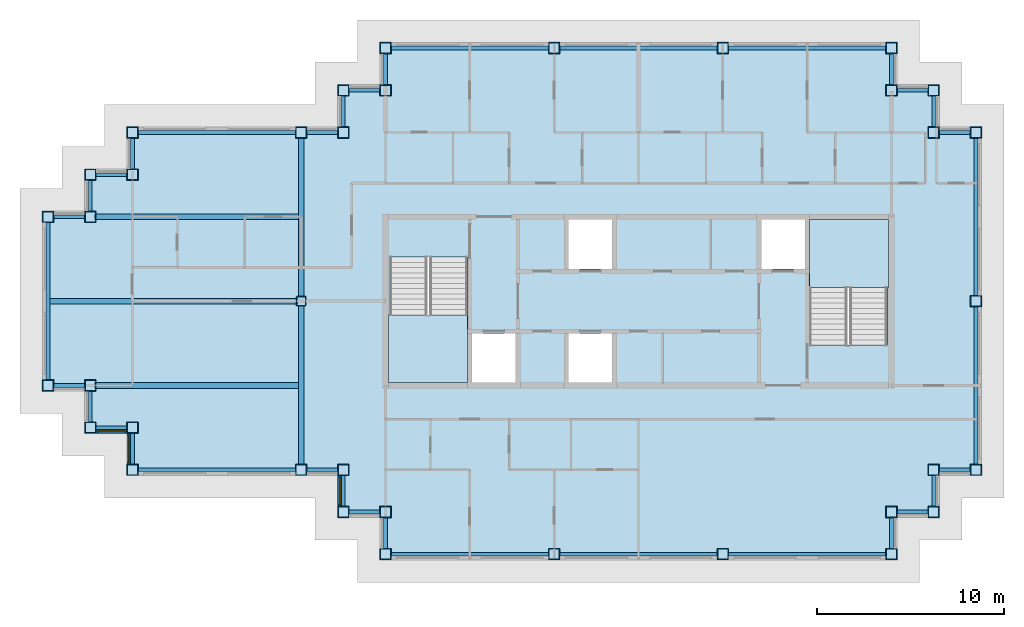
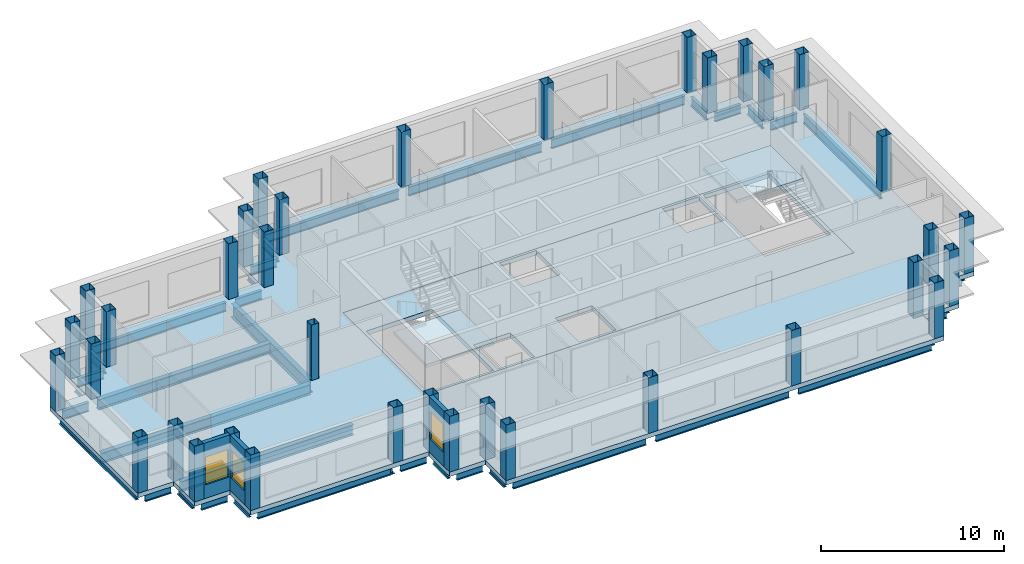
# One storey, part 1 of 12: 40 beams, 36 columns, 4 slabs, 3 walls, 3 windows, 3 openings, 2 elements without a shape of their own.
"""IFC4 building model written with IfcOpenShell, lengths in metres."""

import ifcopenshell
import ifcopenshell.guid

model = None  # the IFC model being written
_history = None  # IfcOwnerHistory: only IFC2X3 demands one
_inside = {}  # id of a spatial element -> (the spatial element, [elements in it])
_under = {}  # id of a project, library or spatial element -> (it, [spatial elements below it])
_declared = {}  # id of a project -> (the project, [libraries it declares])
_typed = {}  # id of a type object -> (the type object, [elements of that type])
_made_of = {}  # id of a material, layer set ... -> (it, [elements and type objects made of it])


def new_model(schema):
    """Start an empty IFC model of exactly this schema.

    Asked for "IFC4X3", IfcOpenShell would pick the latest addendum, in which some entities
    have other attributes; the version numbers below select the first issue.
    IFC2X3 requires an IfcOwnerHistory on every rooted entity: one is made here for all.
    """
    global model, _history
    if schema == "IFC4X3":
        model = ifcopenshell.file(schema_version=(4, 3, 0, 0))
    else:
        model = ifcopenshell.file(schema=schema)
    _inside.clear()
    _under.clear()
    _declared.clear()
    _typed.clear()
    _made_of.clear()
    _history = None
    if model.schema == "IFC2X3":
        org = make("IfcOrganization", Name="unknown")
        user = make(
            "IfcPersonAndOrganization",
            ThePerson=make("IfcPerson", FamilyName="unknown"),
            TheOrganization=org,
        )
        app = make(
            "IfcApplication",
            ApplicationDeveloper=org,
            Version="unknown",
            ApplicationFullName="unknown",
            ApplicationIdentifier="unknown",
        )
        _history = make(
            "IfcOwnerHistory",
            OwningUser=user,
            OwningApplication=app,
            ChangeAction="ADDED",
            CreationDate=0,
        )
    return model


def make(cls, **values):
    """One entity of the class cls with the attributes given. An attribute that is None is left unset."""
    return model.create_entity(
        cls, **{name: value for name, value in values.items() if value is not None}
    )


def rooted(cls, **values):
    """An entity with a GlobalId (a new one), such as an element, a storey or a relation."""
    return make(cls, GlobalId=ifcopenshell.guid.new(), OwnerHistory=_history, **values)


def si_unit(unit_type, name, prefix=None):
    """IfcSIUnit, for example si_unit("LENGTHUNIT", "METRE", prefix="MILLI")."""
    return make("IfcSIUnit", UnitType=unit_type, Prefix=prefix, Name=name)


def assignment(units):
    """IfcUnitAssignment: the units of a project."""
    return None if units is None else make("IfcUnitAssignment", Units=units)


def point(xyz):
    """IfcCartesianPoint."""
    return None if xyz is None else make("IfcCartesianPoint", Coordinates=xyz)


def direction(xyz):
    """IfcDirection."""
    return None if xyz is None else make("IfcDirection", DirectionRatios=xyz)


def frame(location, z_axis=None, x_axis=None):
    """IfcAxis2Placement3D, a coordinate frame: its origin and axes. An axis left out is left unset."""
    return make(
        "IfcAxis2Placement3D",
        Location=point(location),
        Axis=direction(z_axis),
        RefDirection=direction(x_axis),
    )


def frame_2d(location, x_axis=None):
    """IfcAxis2Placement2D, a coordinate frame in the plane: its origin and x axis."""
    return make(
        "IfcAxis2Placement2D", Location=point(location), RefDirection=direction(x_axis)
    )


def origin():
    """The frame at (0, 0, 0) with its axes left unset."""
    return frame((0.0, 0.0, 0.0))


def origin_2d():
    """The frame at (0, 0) in the plane with its x axis left unset."""
    return frame_2d((0.0, 0.0))


def place(relative_to, where):
    """IfcLocalPlacement: puts the frame where relative to a parent placement (None: the world)."""
    return make(
        "IfcLocalPlacement", PlacementRelTo=relative_to, RelativePlacement=where
    )


def context(
    kind, dimensions, precision=None, world=None, true_north=None, identifier=None
):
    """IfcGeometricRepresentationContext, for example the 3D "Model" context."""
    return make(
        "IfcGeometricRepresentationContext",
        ContextIdentifier=identifier,
        ContextType=kind,
        CoordinateSpaceDimension=dimensions,
        Precision=precision,
        WorldCoordinateSystem=world,
        TrueNorth=true_north,
    )


def subcontext(parent, identifier, kind, view, scale=None):
    """IfcGeometricRepresentationSubContext, for example "Body" below "Model"."""
    return make(
        "IfcGeometricRepresentationSubContext",
        ContextIdentifier=identifier,
        ContextType=kind,
        ParentContext=parent,
        TargetScale=scale,
        TargetView=view,
    )


def project(units=None, contexts=None):
    """IfcProject with its units and contexts."""
    return rooted(
        "IfcProject",
        Name="project",
        RepresentationContexts=contexts,
        UnitsInContext=assignment(units),
    )


def spatial(cls, under=None, at=None, **own):
    """A site, building, storey or space (cls), placed at a placement, below another one or the project."""
    s = rooted(cls, ObjectPlacement=at, **own)
    if under is not None:
        _under.setdefault(under.id(), (under, []))[1].append(s)
    return s


def polyline(points):
    """IfcPolyline through the points."""
    return make("IfcPolyline", Points=[point(p) for p in points])


def profile(cls, at=None, kind="AREA", **sizes):
    """A parametric profile (cls). Its sizes go by their IFC names, for example OverallWidth=200.0."""
    return make(cls, ProfileType=kind, Position=at, **sizes)


def rectangle(**sizes):
    """IfcRectangleProfileDef."""
    return profile("IfcRectangleProfileDef", **sizes)


def hollow_rectangle(**sizes):
    """IfcRectangleHollowProfileDef."""
    return profile("IfcRectangleHollowProfileDef", **sizes)


def i_section(**sizes):
    """IfcIShapeProfileDef."""
    return profile("IfcIShapeProfileDef", **sizes)


def outline(outer, holes=None, kind="AREA"):
    """IfcArbitraryClosedProfileDef: a profile drawn as a closed curve; with holes, ...WithVoids."""
    if holes is None:
        return make("IfcArbitraryClosedProfileDef", ProfileType=kind, OuterCurve=outer)
    return make(
        "IfcArbitraryProfileDefWithVoids",
        ProfileType=kind,
        OuterCurve=outer,
        InnerCurves=holes,
    )


def extrude(swept, where, along, depth):
    """IfcExtrudedAreaSolid: the profile swept, set in the frame where, extruded along a direction by depth."""
    return make(
        "IfcExtrudedAreaSolid",
        SweptArea=swept,
        Position=where,
        ExtrudedDirection=direction(along),
        Depth=depth,
    )


def shape(context_of_items, identifier, shape_type, items):
    """IfcShapeRepresentation: the items that make up one representation, for example the "Body"."""
    return make(
        "IfcShapeRepresentation",
        ContextOfItems=context_of_items,
        RepresentationIdentifier=identifier,
        RepresentationType=shape_type,
        Items=items,
    )


def material(Name=None, Category=None):
    """IfcMaterial."""
    return make("IfcMaterial", Name=Name, Category=Category)


def layer(
    of_material, thickness, ventilated=None, Name=None, Category=None, Priority=None
):
    """IfcMaterialLayer: one layer of a wall or slab, of a material (None: an air gap)."""
    return make(
        "IfcMaterialLayer",
        Material=of_material,
        LayerThickness=thickness,
        IsVentilated=ventilated,
        Name=Name,
        Category=Category,
        Priority=Priority,
    )


def layer_set(layers, Name=None):
    """IfcMaterialLayerSet."""
    return make("IfcMaterialLayerSet", MaterialLayers=layers, LayerSetName=Name)


def material_profile(
    of_material, cross_section, Name=None, Category=None, Priority=None
):
    """IfcMaterialProfile: a cross section and its material."""
    return make(
        "IfcMaterialProfile",
        Name=Name,
        Material=of_material,
        Profile=cross_section,
        Priority=Priority,
        Category=Category,
    )


def profile_set(profiles, Name=None, composite=None):
    """IfcMaterialProfileSet."""
    return make(
        "IfcMaterialProfileSet",
        Name=Name,
        MaterialProfiles=profiles,
        CompositeProfile=composite,
    )


def made_of(thing, what):
    """Note that an element or type object is made of a material, layer set ...; save() writes the relation."""
    if what is not None:
        _made_of.setdefault(what.id(), (what, []))[1].append(thing)
    return thing


def type_object(cls, material=None, **own):
    """A type object (cls), such as IfcWallType, which elements share."""
    return made_of(rooted(cls, **own), material)


def element(
    cls,
    number,
    at=None,
    inside=None,
    cuts=None,
    type_object=None,
    material=None,
    context=None,
    identifier="Body",
    shape_type=None,
    held_by="IfcProductDefinitionShape",
    body=None,
    shapes=None,
    **own,
):
    """One element of the class cls, such as IfcWall. Its Tag is "e" and its number.

    at: its placement. inside: the storey or other place that contains it. cuts: it is an
    opening in that element (IfcRelVoidsElement). A single representation is given by context,
    identifier, shape_type and body (its items); several are given by shapes. held_by: the class
    of the entity that holds the representations. save() writes the other relations.
    """
    e = rooted(cls, Tag="e%d" % number, ObjectPlacement=at, **own)
    if body is not None:
        shapes = [shape(context, identifier, shape_type, body)]
    if shapes is not None:
        e.Representation = make(held_by, Representations=shapes)
    if inside is not None:
        _inside.setdefault(inside.id(), (inside, []))[1].append(e)
    if cuts is not None:
        rooted(
            "IfcRelVoidsElement", RelatingBuildingElement=cuts, RelatedOpeningElement=e
        )
    if type_object is not None:
        _typed.setdefault(type_object.id(), (type_object, []))[1].append(e)
    return made_of(e, material)


def fill(opening, filler):
    """IfcRelFillsElement: the door or window that sits in an opening."""
    return rooted(
        "IfcRelFillsElement",
        RelatingOpeningElement=opening,
        RelatedBuildingElement=filler,
    )


def aggregate(whole, parts):
    """IfcRelAggregates: a whole, such as a stair, and the parts it consists of."""
    return rooted("IfcRelAggregates", RelatingObject=whole, RelatedObjects=parts)


def save(model, path):
    """Write the relations noted so far, then the file.

    IfcRelAggregates (storeys below a building ...), IfcRelContainedInSpatialStructure (elements
    in a storey), IfcRelDefinesByType, IfcRelAssociatesMaterial and IfcRelDeclares: one each for
    every whole, place, type object, material and project.
    """
    for whole, parts in _under.values():
        aggregate(whole, parts)
    for where, things in _inside.values():
        rooted(
            "IfcRelContainedInSpatialStructure",
            RelatedElements=things,
            RelatingStructure=where,
        )
    for kind, things in _typed.values():
        rooted("IfcRelDefinesByType", RelatedObjects=things, RelatingType=kind)
    for what, things in _made_of.values():
        rooted("IfcRelAssociatesMaterial", RelatedObjects=things, RelatingMaterial=what)
    for by, libraries in _declared.values():
        rooted("IfcRelDeclares", RelatingContext=by, RelatedDefinitions=libraries)
    model.write(path)


model = new_model("IFC4")

# Units and contexts
model_context = context("Model", 3, precision=1e-05, world=origin(), true_north=direction((0.0, 1.0)))
body_context = subcontext(model_context, "Body", "Model", "MODEL_VIEW")
ifc_project = project(units=[si_unit("LENGTHUNIT", "METRE"), si_unit("AREAUNIT", "SQUARE_METRE"), si_unit("VOLUMEUNIT", "CUBIC_METRE"), si_unit("PLANEANGLEUNIT", "RADIAN"), si_unit("MASSUNIT", "GRAM", prefix="KILO")], contexts=[model_context])

# Site, building, storey
site_placement = place(None, origin())
site = spatial("IfcSite", under=ifc_project, at=site_placement, CompositionType="ELEMENT")
building_placement = place(site_placement, origin())
building = spatial("IfcBuilding", under=site, at=building_placement, Name="Caravel Reach Hotel and Residences", CompositionType="ELEMENT")
storey_placement = place(building_placement, frame((0.0, 0.0, 245.300048828125)))
storey = spatial("IfcBuildingStorey", under=building, at=storey_placement, Name="L62", CompositionType="ELEMENT", Elevation=245.300048828125)

# Columns
ifc_material_1 = material(Name="Concrete-filled steel tube Q390B with Concrete C60 infill", Category="concrete")
ifc_material_profile_1 = material_profile(ifc_material_1, hollow_rectangle(XDim=0.5, YDim=0.5, WallThickness=0.01611328125, InnerFilletRadius=0.031982421875, OuterFilletRadius=0.048095703125, at=origin_2d()), Name="RHS 500x500x16")
ifc_profile_set_1 = profile_set([ifc_material_profile_1], Name="Concrete-filled steel tube Q390B with Concrete C60 infill")
column_type_1 = type_object("IfcColumnType", Name="CFT 500x500 Q390B C60", PredefinedType="COLUMN", material=ifc_profile_set_1)
column_placement = place(storey_placement, frame((13.5, 27.0, 0.0), z_axis=(0.0, 0.0, 1.0), x_axis=(1.0, 0.0, 0.0)))
element("IfcColumn", 1, at=column_placement, inside=storey, type_object=column_type_1, Name="C9 column", PredefinedType="COLUMN", context=body_context, shape_type="SweptSolid", body=[
    extrude(hollow_rectangle(XDim=0.5, YDim=0.5, WallThickness=0.01611328125, InnerFilletRadius=0.031982421875, OuterFilletRadius=0.048095703125, at=origin_2d()), origin(), (0.0, 0.0, 1.0), 3.699951171875),
])
ifc_material_2 = material(Name="Concrete-filled steel tube Q390B with Concrete C60 infill", Category="concrete")
ifc_material_profile_2 = material_profile(ifc_material_2, hollow_rectangle(XDim=0.60009765625, YDim=0.60009765625, WallThickness=0.02001953125, at=origin_2d()), Name="RHS 600x600x20")
ifc_profile_set_2 = profile_set([ifc_material_profile_2], Name="Concrete-filled steel tube Q390B with Concrete C60 infill")
column_type_2 = type_object("IfcColumnType", Name="CFT 600x600 Q390B C60", PredefinedType="COLUMN", material=ifc_profile_set_2)
for number, where, z_axis, x_axis, name in (
    (2, (15.75, 18.0, 0.0), (0.0, 0.0, 1.0), (1.0, 0.0, 0.0), "C8 column"),
    (3, (15.75, 15.75, 0.0), (0.0, 0.0, 1.0), (1.0, 0.0, 0.0), "C8 column"),
    (4, (18.0, 15.75, 0.0), (0.0, 0.0, 1.0), (1.0, 0.0, 0.0), "C8 column"),
    (5, (18.0, 13.5, 0.0), (0.0, 0.0, 1.0), (1.0, 0.0, 0.0), "C8 column"),
    (6, (27.0, 13.5, 0.0), (0.0, 0.0, 1.0), (1.0, 0.0, 0.0), "C8 column"),
    (7, (36.0, 13.5, 0.0), (0.0, 0.0, 1.0), (1.0, 0.0, 0.0), "C8 column"),
    (8, (45.0, 13.5, 0.0), (0.0, 0.0, 1.0), (1.0, 0.0, 0.0), "C8 column"),
    (9, (45.0, 15.75, 0.0), (0.0, 0.0, 1.0), (1.0, 0.0, 0.0), "C8 column"),
    (10, (47.25, 15.75, 0.0), (0.0, 0.0, 1.0), (1.0, 0.0, 0.0), "C8 column"),
    (11, (47.25, 18.0, 0.0), (0.0, 0.0, 1.0), (1.0, 0.0, 0.0), "C8 column"),
    (12, (49.5, 18.0, 0.0), (0.0, 0.0, 1.0), (1.0, 0.0, 0.0), "C8 column"),
    (13, (49.5, 27.0, 0.0), (0.0, 0.0, 1.0), (1.0, 0.0, 0.0), "C8 column"),
    (14, (49.5, 36.0, 0.0), (0.0, 0.0, 1.0), (1.0, 0.0, 0.0), "C8 column"),
    (15, (47.25, 36.0, 0.0), (0.0, 0.0, 1.0), (1.0, 0.0, 0.0), "C8 column"),
    (16, (47.25, 38.25, 0.0), (0.0, 0.0, 1.0), (1.0, 0.0, 0.0), "C8 column"),
    (17, (45.0, 38.25, 0.0), (0.0, 0.0, 1.0), (1.0, 0.0, 0.0), "C8 column"),
    (18, (45.0, 40.5, 0.0), (0.0, 0.0, 1.0), (1.0, 0.0, 0.0), "C8 column"),
    (19, (36.0, 40.5, 0.0), (0.0, 0.0, 1.0), (1.0, 0.0, 0.0), "C8 column"),
    (20, (27.0, 40.5, 0.0), (0.0, 0.0, 1.0), (1.0, 0.0, 0.0), "C8 column"),
    (21, (18.0, 40.5, 0.0), (0.0, 0.0, 1.0), (1.0, 0.0, 0.0), "C8 column"),
    (22, (18.0, 38.25, 0.0), (0.0, 0.0, 1.0), (1.0, 0.0, 0.0), "C8 column"),
    (23, (15.75, 38.25, 0.0), (0.0, 0.0, 1.0), (1.0, 0.0, 0.0), "C8 column"),
    (24, (15.75, 36.0, 0.0), (0.0, 0.0, 1.0), (1.0, 0.0, 0.0), "C8 column"),
    (25, (13.5, 36.0, 0.0), (0.0, 0.0, 1.0), (1.0, 0.0, 0.0), "C8 column"),
    (26, (4.5, 36.0, 0.0), (0.0, 0.0, 1.0), (1.0, 0.0, 0.0), "C8 column"),
    (27, (4.5, 33.75, 0.0), (0.0, 0.0, 1.0), (1.0, 0.0, 0.0), "C8 column"),
    (28, (2.25, 33.75, 0.0), (0.0, 0.0, 1.0), (1.0, 0.0, 0.0), "C8 column"),
    (29, (2.25, 31.5, 0.0), (0.0, 0.0, 1.0), (1.0, 0.0, 0.0), "C8 column"),
    (30, (0.0, 31.5, 0.0), (0.0, 0.0, 1.0), (1.0, 0.0, 0.0), "C8 column"),
    (31, (0.0, 22.5, 0.0), (0.0, 0.0, 1.0), (1.0, 0.0, 0.0), "C8 column"),
    (32, (2.25, 22.5, 0.0), (0.0, 0.0, 1.0), (1.0, 0.0, 0.0), "C8 column"),
    (33, (2.25, 20.25, 0.0), (0.0, 0.0, 1.0), (1.0, 0.0, 0.0), "C8 column"),
    (34, (4.5, 20.25, 0.0), (0.0, 0.0, 1.0), (1.0, 0.0, 0.0), "C8 column"),
    (35, (4.5, 18.0, 0.0), (0.0, 0.0, 1.0), (1.0, 0.0, 0.0), "C8 column"),
    (36, (13.5, 18.0, 0.0), (0.0, 0.0, 1.0), (1.0, 0.0, 0.0), "C8 column"),
):
    element("IfcColumn", number, at=place(storey_placement, frame(where, z_axis=z_axis, x_axis=x_axis)), inside=storey, type_object=column_type_2, Name=name, PredefinedType="COLUMN", context=body_context, shape_type="SweptSolid", body=[
        extrude(hollow_rectangle(XDim=0.60009765625, YDim=0.60009765625, WallThickness=0.02001953125, at=origin_2d()), origin(), (0.0, 0.0, 1.0), 3.699951171875),
    ])

# Beams
ifc_material_3 = material(Name="Structural steel Q355B", Category="steel")
ifc_material_profile_3 = material_profile(ifc_material_3, i_section(OverallWidth=0.300048828125, OverallDepth=0.699951171875, WebThickness=0.012939453125, FlangeThickness=0.02392578125, FilletRadius=0.01806640625, at=origin_2d()), Name="HN 700x300x13x24")
ifc_profile_set_3 = profile_set([ifc_material_profile_3], Name="Structural steel Q355B")
beam_type_1 = type_object("IfcBeamType", Name="Beam HN 700x300x13x24", PredefinedType="BEAM", material=ifc_profile_set_3)
beam_1_placement = place(storey_placement, frame((13.39990234375, 22.5, -0.650146484375), z_axis=(-1.0, 0.0, 0.0), x_axis=(0.0, -1.0, 0.0)))
element("IfcBeam", 37, at=beam_1_placement, inside=storey, type_object=beam_type_1, Name="B2 HN 700x300x13x24", PredefinedType="BEAM", context=body_context, shape_type="SweptSolid", body=[
    extrude(i_section(OverallWidth=0.300048828125, OverallDepth=0.699951171875, WebThickness=0.012939453125, FlangeThickness=0.02392578125, FilletRadius=0.01806640625, at=origin_2d()), origin(), (0.0, 0.0, 1.0), 10.89990234375),
])
beam_2_placement = place(storey_placement, frame((13.300048828125, 27.0, -0.650146484375), z_axis=(-1.0, 0.0, 0.0), x_axis=(0.0, -1.0, 0.0)))
element("IfcBeam", 38, at=beam_2_placement, inside=storey, type_object=beam_type_1, Name="B2 HN 700x300x13x24", PredefinedType="BEAM", context=body_context, shape_type="SweptSolid", body=[
    extrude(i_section(OverallWidth=0.300048828125, OverallDepth=0.699951171875, WebThickness=0.012939453125, FlangeThickness=0.02392578125, FilletRadius=0.01806640625, at=origin_2d()), origin(), (0.0, 0.0, 1.0), 13.199951171875),
])
beam_3_placement = place(storey_placement, frame((13.39990234375, 31.5, -0.650146484375), z_axis=(-1.0, 0.0, 0.0), x_axis=(0.0, -1.0, 0.0)))
element("IfcBeam", 39, at=beam_3_placement, inside=storey, type_object=beam_type_1, Name="B2 HN 700x300x13x24", PredefinedType="BEAM", context=body_context, shape_type="SweptSolid", body=[
    extrude(i_section(OverallWidth=0.300048828125, OverallDepth=0.699951171875, WebThickness=0.012939453125, FlangeThickness=0.02392578125, FilletRadius=0.01806640625, at=origin_2d()), origin(), (0.0, 0.0, 1.0), 10.89990234375),
])
ifc_material_4 = material(Name="Structural steel Q355B", Category="steel")
ifc_material_profile_4 = material_profile(ifc_material_4, i_section(OverallWidth=0.300048828125, OverallDepth=0.89990234375, WebThickness=0.01611328125, FlangeThickness=0.028076171875, FilletRadius=0.01806640625, at=origin_2d()), Name="HN 900x300x16x28")
ifc_profile_set_4 = profile_set([ifc_material_profile_4], Name="Structural steel Q355B")
beam_type_2 = type_object("IfcBeamType", Name="Beam HN 900x300x16x28", PredefinedType="BEAM", material=ifc_profile_set_4)
for number, where, z_axis, x_axis, name in (
    (40, (13.5, 18.300048828125, -0.75), (0.0, 1.0, 0.0), (-1.0, 0.0, 0.0), "B3 HN 900x300x16x28"),
    (41, (13.5, 27.25, -0.75), (0.0, 1.0, 0.0), (-1.0, 0.0, 0.0), "B3 HN 900x300x16x28"),
):
    element("IfcBeam", number, at=place(storey_placement, frame(where, z_axis=z_axis, x_axis=x_axis)), inside=storey, type_object=beam_type_2, Name=name, PredefinedType="BEAM", context=body_context, shape_type="SweptSolid", body=[
        extrude(i_section(OverallWidth=0.300048828125, OverallDepth=0.89990234375, WebThickness=0.01611328125, FlangeThickness=0.028076171875, FilletRadius=0.01806640625, at=origin_2d()), origin(), (0.0, 0.0, 1.0), 8.449951171875),
    ])
ifc_material_5 = material(Name="Structural steel Q355B", Category="steel")
ifc_material_profile_5 = material_profile(ifc_material_5, i_section(OverallWidth=0.199951171875, OverallDepth=0.60009765625, WebThickness=0.010986328125, FlangeThickness=0.01708984375, FilletRadius=0.012939453125, at=origin_2d()), Name="HN 600x200x11x17")
ifc_profile_set_5 = profile_set([ifc_material_profile_5], Name="Structural steel Q355B")
beam_type_3 = type_object("IfcBeamType", Name="Spandrel beam HN 600x200x11x17", PredefinedType="SPANDREL", material=ifc_profile_set_5)
for number, where, z_axis, x_axis, name in (
    (42, (15.75, 17.699951171875, -0.60009765625), (0.0, -1.0, 0.0), (1.0, 0.0, 0.0), "SP1 HN 600x200x11x17"),
    (43, (16.050048828125, 15.75, -0.60009765625), (1.0, 0.0, 0.0), (0.0, 1.0, 0.0), "SP1 HN 600x200x11x17"),
    (44, (18.0, 15.449951171875, -0.60009765625), (0.0, -1.0, 0.0), (1.0, 0.0, 0.0), "SP1 HN 600x200x11x17"),
):
    element("IfcBeam", number, at=place(storey_placement, frame(where, z_axis=z_axis, x_axis=x_axis)), inside=storey, type_object=beam_type_3, Name=name, PredefinedType="SPANDREL", context=body_context, shape_type="SweptSolid", body=[
        extrude(i_section(OverallWidth=0.199951171875, OverallDepth=0.60009765625, WebThickness=0.010986328125, FlangeThickness=0.01708984375, FilletRadius=0.012939453125, at=origin_2d()), origin(), (0.0, 0.0, 1.0), 1.64990234375),
    ])
for number, where, z_axis, x_axis, name in (
    (45, (18.300048828125, 13.5, -0.60009765625), (1.0, 0.0, 0.0), (0.0, 1.0, 0.0), "SP1 HN 600x200x11x17"),
    (46, (27.300048828125, 13.5, -0.60009765625), (1.0, 0.0, 0.0), (0.0, 1.0, 0.0), "SP1 HN 600x200x11x17"),
    (47, (36.300048828125, 13.5, -0.60009765625), (1.0, 0.0, 0.0), (0.0, 1.0, 0.0), "SP1 HN 600x200x11x17"),
):
    element("IfcBeam", number, at=place(storey_placement, frame(where, z_axis=z_axis, x_axis=x_axis)), inside=storey, type_object=beam_type_3, Name=name, PredefinedType="SPANDREL", context=body_context, shape_type="SweptSolid", body=[
        extrude(i_section(OverallWidth=0.199951171875, OverallDepth=0.60009765625, WebThickness=0.010986328125, FlangeThickness=0.01708984375, FilletRadius=0.012939453125, at=origin_2d()), origin(), (0.0, 0.0, 1.0), 8.39990234375),
    ])
for number, where, z_axis, x_axis, name in (
    (48, (45.0, 13.800048828125, -0.60009765625), (0.0, 1.0, 0.0), (-1.0, 0.0, 0.0), "SP1 HN 600x200x11x17"),
    (49, (45.300048828125, 15.75, -0.60009765625), (1.0, 0.0, 0.0), (0.0, 1.0, 0.0), "SP1 HN 600x200x11x17"),
    (50, (47.25, 16.050048828125, -0.60009765625), (0.0, 1.0, 0.0), (-1.0, 0.0, 0.0), "SP1 HN 600x200x11x17"),
    (51, (47.550048828125, 18.0, -0.60009765625), (1.0, 0.0, 0.0), (0.0, 1.0, 0.0), "SP1 HN 600x200x11x17"),
):
    element("IfcBeam", number, at=place(storey_placement, frame(where, z_axis=z_axis, x_axis=x_axis)), inside=storey, type_object=beam_type_3, Name=name, PredefinedType="SPANDREL", context=body_context, shape_type="SweptSolid", body=[
        extrude(i_section(OverallWidth=0.199951171875, OverallDepth=0.60009765625, WebThickness=0.010986328125, FlangeThickness=0.01708984375, FilletRadius=0.012939453125, at=origin_2d()), origin(), (0.0, 0.0, 1.0), 1.64990234375),
    ])
for number, where, z_axis, x_axis, name in (
    (52, (49.5, 18.300048828125, -0.60009765625), (0.0, 1.0, 0.0), (-1.0, 0.0, 0.0), "SP1 HN 600x200x11x17"),
    (53, (49.5, 27.300048828125, -0.60009765625), (0.0, 1.0, 0.0), (-1.0, 0.0, 0.0), "SP1 HN 600x200x11x17"),
):
    element("IfcBeam", number, at=place(storey_placement, frame(where, z_axis=z_axis, x_axis=x_axis)), inside=storey, type_object=beam_type_3, Name=name, PredefinedType="SPANDREL", context=body_context, shape_type="SweptSolid", body=[
        extrude(i_section(OverallWidth=0.199951171875, OverallDepth=0.60009765625, WebThickness=0.010986328125, FlangeThickness=0.01708984375, FilletRadius=0.012939453125, at=origin_2d()), origin(), (0.0, 0.0, 1.0), 8.39990234375),
    ])
for number, where, z_axis, x_axis, name in (
    (54, (49.199951171875, 36.0, -0.60009765625), (-1.0, 0.0, 0.0), (0.0, -1.0, 0.0), "SP1 HN 600x200x11x17"),
    (55, (47.25, 36.300048828125, -0.60009765625), (0.0, 1.0, 0.0), (-1.0, 0.0, 0.0), "SP1 HN 600x200x11x17"),
    (56, (46.949951171875, 38.25, -0.60009765625), (-1.0, 0.0, 0.0), (0.0, -1.0, 0.0), "SP1 HN 600x200x11x17"),
    (57, (45.0, 38.550048828125, -0.60009765625), (0.0, 1.0, 0.0), (-1.0, 0.0, 0.0), "SP1 HN 600x200x11x17"),
):
    element("IfcBeam", number, at=place(storey_placement, frame(where, z_axis=z_axis, x_axis=x_axis)), inside=storey, type_object=beam_type_3, Name=name, PredefinedType="SPANDREL", context=body_context, shape_type="SweptSolid", body=[
        extrude(i_section(OverallWidth=0.199951171875, OverallDepth=0.60009765625, WebThickness=0.010986328125, FlangeThickness=0.01708984375, FilletRadius=0.012939453125, at=origin_2d()), origin(), (0.0, 0.0, 1.0), 1.64990234375),
    ])
for number, where, z_axis, x_axis, name in (
    (58, (44.699951171875, 40.5, -0.60009765625), (-1.0, 0.0, 0.0), (0.0, -1.0, 0.0), "SP1 HN 600x200x11x17"),
    (59, (35.699951171875, 40.5, -0.60009765625), (-1.0, 0.0, 0.0), (0.0, -1.0, 0.0), "SP1 HN 600x200x11x17"),
    (60, (26.699951171875, 40.5, -0.60009765625), (-1.0, 0.0, 0.0), (0.0, -1.0, 0.0), "SP1 HN 600x200x11x17"),
):
    element("IfcBeam", number, at=place(storey_placement, frame(where, z_axis=z_axis, x_axis=x_axis)), inside=storey, type_object=beam_type_3, Name=name, PredefinedType="SPANDREL", context=body_context, shape_type="SweptSolid", body=[
        extrude(i_section(OverallWidth=0.199951171875, OverallDepth=0.60009765625, WebThickness=0.010986328125, FlangeThickness=0.01708984375, FilletRadius=0.012939453125, at=origin_2d()), origin(), (0.0, 0.0, 1.0), 8.39990234375),
    ])
for number, where, z_axis, x_axis, name in (
    (61, (18.0, 40.199951171875, -0.60009765625), (0.0, -1.0, 0.0), (1.0, 0.0, 0.0), "SP1 HN 600x200x11x17"),
    (62, (17.699951171875, 38.25, -0.60009765625), (-1.0, 0.0, 0.0), (0.0, -1.0, 0.0), "SP1 HN 600x200x11x17"),
    (63, (15.75, 37.949951171875, -0.60009765625), (0.0, -1.0, 0.0), (1.0, 0.0, 0.0), "SP1 HN 600x200x11x17"),
    (64, (15.449951171875, 36.0, -0.60009765625), (-1.0, 0.0, 0.0), (0.0, -1.0, 0.0), "SP1 HN 600x200x11x17"),
):
    element("IfcBeam", number, at=place(storey_placement, frame(where, z_axis=z_axis, x_axis=x_axis)), inside=storey, type_object=beam_type_3, Name=name, PredefinedType="SPANDREL", context=body_context, shape_type="SweptSolid", body=[
        extrude(i_section(OverallWidth=0.199951171875, OverallDepth=0.60009765625, WebThickness=0.010986328125, FlangeThickness=0.01708984375, FilletRadius=0.012939453125, at=origin_2d()), origin(), (0.0, 0.0, 1.0), 1.64990234375),
    ])
beam_4_placement = place(storey_placement, frame((13.199951171875, 36.0, -0.60009765625), z_axis=(-1.0, 0.0, 0.0), x_axis=(0.0, -1.0, 0.0)))
element("IfcBeam", 65, at=beam_4_placement, inside=storey, type_object=beam_type_3, Name="SP1 HN 600x200x11x17", PredefinedType="SPANDREL", context=body_context, shape_type="SweptSolid", body=[
    extrude(i_section(OverallWidth=0.199951171875, OverallDepth=0.60009765625, WebThickness=0.010986328125, FlangeThickness=0.01708984375, FilletRadius=0.012939453125, at=origin_2d()), origin(), (0.0, 0.0, 1.0), 8.39990234375),
])
for number, where, z_axis, x_axis, name in (
    (66, (4.5, 35.699951171875, -0.60009765625), (0.0, -1.0, 0.0), (1.0, 0.0, 0.0), "SP1 HN 600x200x11x17"),
    (67, (4.199951171875, 33.75, -0.60009765625), (-1.0, 0.0, 0.0), (0.0, -1.0, 0.0), "SP1 HN 600x200x11x17"),
    (68, (2.25, 33.449951171875, -0.60009765625), (0.0, -1.0, 0.0), (1.0, 0.0, 0.0), "SP1 HN 600x200x11x17"),
    (69, (1.949951171875, 31.5, -0.60009765625), (-1.0, 0.0, 0.0), (0.0, -1.0, 0.0), "SP1 HN 600x200x11x17"),
):
    element("IfcBeam", number, at=place(storey_placement, frame(where, z_axis=z_axis, x_axis=x_axis)), inside=storey, type_object=beam_type_3, Name=name, PredefinedType="SPANDREL", context=body_context, shape_type="SweptSolid", body=[
        extrude(i_section(OverallWidth=0.199951171875, OverallDepth=0.60009765625, WebThickness=0.010986328125, FlangeThickness=0.01708984375, FilletRadius=0.012939453125, at=origin_2d()), origin(), (0.0, 0.0, 1.0), 1.64990234375),
    ])
beam_5_placement = place(storey_placement, frame((0.0, 31.199951171875, -0.60009765625), z_axis=(0.0, -1.0, 0.0), x_axis=(1.0, 0.0, 0.0)))
element("IfcBeam", 70, at=beam_5_placement, inside=storey, type_object=beam_type_3, Name="SP1 HN 600x200x11x17", PredefinedType="SPANDREL", context=body_context, shape_type="SweptSolid", body=[
    extrude(i_section(OverallWidth=0.199951171875, OverallDepth=0.60009765625, WebThickness=0.010986328125, FlangeThickness=0.01708984375, FilletRadius=0.012939453125, at=origin_2d()), origin(), (0.0, 0.0, 1.0), 8.39990234375),
])
for number, where, z_axis, x_axis, name in (
    (71, (0.300048828125, 22.5, -0.60009765625), (1.0, 0.0, 0.0), (0.0, 1.0, 0.0), "SP1 HN 600x200x11x17"),
    (72, (2.25, 22.199951171875, -0.60009765625), (0.0, -1.0, 0.0), (1.0, 0.0, 0.0), "SP1 HN 600x200x11x17"),
    (73, (2.550048828125, 20.25, -0.60009765625), (1.0, 0.0, 0.0), (0.0, 1.0, 0.0), "SP1 HN 600x200x11x17"),
    (74, (4.5, 19.949951171875, -0.60009765625), (0.0, -1.0, 0.0), (1.0, 0.0, 0.0), "SP1 HN 600x200x11x17"),
):
    element("IfcBeam", number, at=place(storey_placement, frame(where, z_axis=z_axis, x_axis=x_axis)), inside=storey, type_object=beam_type_3, Name=name, PredefinedType="SPANDREL", context=body_context, shape_type="SweptSolid", body=[
        extrude(i_section(OverallWidth=0.199951171875, OverallDepth=0.60009765625, WebThickness=0.010986328125, FlangeThickness=0.01708984375, FilletRadius=0.012939453125, at=origin_2d()), origin(), (0.0, 0.0, 1.0), 1.64990234375),
    ])
beam_6_placement = place(storey_placement, frame((4.800048828125, 18.0, -0.60009765625), z_axis=(1.0, 0.0, 0.0), x_axis=(0.0, 1.0, 0.0)))
element("IfcBeam", 75, at=beam_6_placement, inside=storey, type_object=beam_type_3, Name="SP1 HN 600x200x11x17", PredefinedType="SPANDREL", context=body_context, shape_type="SweptSolid", body=[
    extrude(i_section(OverallWidth=0.199951171875, OverallDepth=0.60009765625, WebThickness=0.010986328125, FlangeThickness=0.01708984375, FilletRadius=0.012939453125, at=origin_2d()), origin(), (0.0, 0.0, 1.0), 8.39990234375),
])
beam_7_placement = place(storey_placement, frame((13.800048828125, 18.0, -0.60009765625), z_axis=(1.0, 0.0, 0.0), x_axis=(0.0, 1.0, 0.0)))
element("IfcBeam", 76, at=beam_7_placement, inside=storey, type_object=beam_type_3, Name="SP1 HN 600x200x11x17", PredefinedType="SPANDREL", context=body_context, shape_type="SweptSolid", body=[
    extrude(i_section(OverallWidth=0.199951171875, OverallDepth=0.60009765625, WebThickness=0.010986328125, FlangeThickness=0.01708984375, FilletRadius=0.012939453125, at=origin_2d()), origin(), (0.0, 0.0, 1.0), 1.64990234375),
])

# Slab
ifc_material_6 = material(Name="Concrete C40", Category="concrete")
ifc_layer_1 = layer(ifc_material_6, 0.300048828125)
ifc_layer_set_1 = layer_set([ifc_layer_1], Name="Core floor slab 300 mm")
slab_type_1 = type_object("IfcSlabType", Name="Core floor slab 300 mm", PredefinedType="FLOOR", material=ifc_layer_set_1)
slab_1_placement = place(storey_placement, frame((0.0, 0.0, -0.300048828125)))
element("IfcSlab", 77, at=slab_1_placement, inside=storey, type_object=slab_type_1, Name="L62 core floor", PredefinedType="FLOOR", context=body_context, shape_type="SweptSolid", body=[
    extrude(outline(polyline([(18.0, 31.5), (45.0, 31.5), (45.0, 22.5), (18.0, 22.5), (18.0, 31.5)]), holes=[polyline([(22.625, 22.64990234375), (24.9462890625, 22.64990234375), (24.9462890625, 25.27490234375), (22.625, 25.27490234375), (22.625, 22.64990234375)]), polyline([(27.767822265625, 25.27490234375), (27.767822265625, 22.64990234375), (30.08935546875, 22.64990234375), (30.08935546875, 25.27490234375), (27.767822265625, 25.27490234375)]), polyline([(22.375, 22.64990234375), (22.375, 29.35009765625), (18.22509765625, 29.35009765625), (18.22509765625, 22.64990234375), (22.375, 22.64990234375)]), polyline([(40.625, 24.64990234375), (44.77490234375, 24.64990234375), (44.77490234375, 31.35009765625), (40.625, 31.35009765625), (40.625, 24.64990234375)]), polyline([(27.767822265625, 31.35009765625), (27.767822265625, 28.72509765625), (30.08935546875, 28.72509765625), (30.08935546875, 31.35009765625), (27.767822265625, 31.35009765625)]), polyline([(38.0537109375, 31.35009765625), (38.0537109375, 28.72509765625), (40.375, 28.72509765625), (40.375, 31.35009765625), (38.0537109375, 31.35009765625)])]), origin(), (0.0, 0.0, 1.0), 0.300048828125),
])

# Stair, slab
ifc_material_7 = material(Name="Concrete C40", Category="concrete")
stair_type = type_object("IfcStairType", Name="Core stair", PredefinedType="HALF_TURN_STAIR", material=ifc_material_7)
stair_1_placement = place(storey_placement, origin())
stair_1 = element("IfcStair", 78, at=stair_1_placement, inside=storey, type_object=stair_type, Name="L62 Exit stair A", PredefinedType="HALF_TURN_STAIR")
ifc_material_8 = material(Name="Concrete C40", Category="concrete")
ifc_layer_2 = layer(ifc_material_8, 0.199951171875)
ifc_layer_set_2 = layer_set([ifc_layer_2], Name="Core stair landing")
slab_type_2 = type_object("IfcSlabType", Name="Core stair landing", PredefinedType="LANDING", material=ifc_layer_set_2)
slab_2_placement = place(storey_placement, frame((0.0, 0.0, 1.64990234375)))
slab_2 = element("IfcSlab", 79, at=slab_2_placement, type_object=slab_type_2, Name="ST-A landing 1", PredefinedType="LANDING", context=body_context, shape_type="SweptSolid", body=[
    extrude(outline(polyline([(18.14990234375, 26.27001953125), (18.14990234375, 22.64990234375), (22.375, 22.64990234375), (22.375, 26.27001953125), (18.14990234375, 26.27001953125)])), origin(), (0.0, 0.0, 1.0), 0.199951171875),
])
aggregate(stair_1, [slab_2])

stair_2_placement = place(storey_placement, origin())
stair_2 = element("IfcStair", 80, at=stair_2_placement, inside=storey, type_object=stair_type, Name="L62 Exit stair B", PredefinedType="HALF_TURN_STAIR")
slab_3_placement = place(storey_placement, frame((0.0, 0.0, 1.64990234375)))
slab_3 = element("IfcSlab", 81, at=slab_3_placement, type_object=slab_type_2, Name="ST-B landing 1", PredefinedType="LANDING", context=body_context, shape_type="SweptSolid", body=[
    extrude(outline(polyline([(44.85009765625, 27.72998046875), (44.85009765625, 31.35009765625), (40.625, 31.35009765625), (40.625, 27.72998046875), (44.85009765625, 27.72998046875)])), origin(), (0.0, 0.0, 1.0), 0.199951171875),
])
aggregate(stair_2, [slab_3])

# Slab
ifc_material_9 = material(Name="Concrete C40 post-tensioned", Category="concrete")
ifc_layer_3 = layer(ifc_material_9, 0.300048828125)
ifc_layer_set_3 = layer_set([ifc_layer_3], Name="Floor slab 300")
slab_type_3 = type_object("IfcSlabType", Name="Floor slab 300", PredefinedType="FLOOR", material=ifc_layer_set_3)
slab_4_placement = place(storey_placement, frame((0.0, 0.0, -0.300048828125)))
element("IfcSlab", 82, at=slab_4_placement, inside=storey, type_object=slab_type_3, Name="S2 slab L62", PredefinedType="FLOOR", context=body_context, shape_type="SweptSolid", body=[
    extrude(outline(polyline([(4.199951171875, 19.949951171875), (1.949951171875, 19.949951171875), (1.949951171875, 22.199951171875), (-0.300048828125, 22.199951171875), (-0.300048828125, 31.800048828125), (1.949951171875, 31.800048828125), (1.949951171875, 34.050048828125), (4.199951171875, 34.050048828125), (4.199951171875, 36.300048828125), (15.449951171875, 36.300048828125), (15.449951171875, 38.550048828125), (17.699951171875, 38.550048828125), (17.699951171875, 40.800048828125), (45.300048828125, 40.800048828125), (45.300048828125, 38.550048828125), (47.550048828125, 38.550048828125), (47.550048828125, 36.300048828125), (49.800048828125, 36.300048828125), (49.800048828125, 17.699951171875), (47.550048828125, 17.699951171875), (47.550048828125, 15.449951171875), (45.300048828125, 15.449951171875), (45.300048828125, 13.199951171875), (17.699951171875, 13.199951171875), (17.699951171875, 15.449951171875), (15.449951171875, 15.449951171875), (15.449951171875, 17.699951171875), (4.199951171875, 17.699951171875), (4.199951171875, 19.949951171875)]), holes=[polyline([(45.0, 31.5), (18.0, 31.5), (18.0, 22.5), (45.0, 22.5), (45.0, 31.5)])]), origin(), (0.0, 0.0, 1.0), 0.300048828125),
])

# Wall, opening, window
ifc_material_10 = material(Name="Insulated rainscreen wall, aluminium cladding", Category="aluminium")
ifc_layer_4 = layer(ifc_material_10, 0.25)
ifc_layer_set_4 = layer_set([ifc_layer_4], Name="EW1 Tower rainscreen wall")
wall_type = type_object("IfcWallType", Name="EW1 Tower rainscreen wall", PredefinedType="SOLIDWALL", material=ifc_layer_set_4)
wall_1_placement = place(storey_placement, frame((15.574951171875, 17.699951171875, 0.0), z_axis=(0.0, 0.0, 1.0), x_axis=(0.0, -1.0, 0.0)))
wall_1 = element("IfcWall", 83, at=wall_1_placement, inside=storey, type_object=wall_type, Name="External wall L62 W1.1", PredefinedType="SOLIDWALL", context=body_context, shape_type="SweptSolid", body=[
    extrude(rectangle(XDim=1.64990234375, YDim=0.25, at=frame_2d((0.824951171875, 0.0))), origin(), (0.0, 0.0, 1.0), 3.699951171875),
])
opening_1_placement = place(wall_1_placement, frame((0.10009765625, 0.0, 0.89990234375)))
opening_1 = element("IfcOpeningElement", 84, at=opening_1_placement, cuts=wall_1, Name="Opening WN25", PredefinedType="OPENING", context=body_context, shape_type="SweptSolid", body=[
    extrude(rectangle(XDim=1.449951171875, YDim=1.85009765625, at=frame_2d((0.72509765625, 0.925048828125))), frame((0.0, 0.135009765625, 0.0), z_axis=(0.0, -1.0, 0.0), x_axis=(1.0, 0.0, 0.0)), (0.0, 0.0, 1.0), 0.27001953125),
])
ifc_material_11 = material(Name="Dark low-e glazing in black aluminium frame", Category="aluminium")
window_type = type_object("IfcWindowType", Name="Residence bedroom window 1450 x 1850", PartitioningType="SINGLE_PANEL", PredefinedType="WINDOW", material=ifc_material_11)
window_1_placement = place(opening_1_placement, origin())
window_1 = element("IfcWindow", 85, at=window_1_placement, inside=storey, type_object=window_type, Name="Window L62 W1.1.1", OverallHeight=1.85009765625, OverallWidth=1.449951171875, PartitioningType="SINGLE_PANEL", PredefinedType="WINDOW", context=body_context, shape_type="SweptSolid", body=[
    extrude(rectangle(XDim=1.449951171875, YDim=1.85009765625, at=frame_2d((0.72509765625, 0.925048828125))), frame((0.0, 0.030029296875, 0.0), z_axis=(0.0, -1.0, 0.0), x_axis=(1.0, 0.0, 0.0)), (0.0, 0.0, 1.0), 0.06005859375),
])
fill(opening_1, window_1)

wall_2_placement = place(storey_placement, frame((2.550048828125, 20.074951171875, 0.0), z_axis=(0.0, 0.0, 1.0), x_axis=(1.0, 0.0, 0.0)))
wall_2 = element("IfcWall", 86, at=wall_2_placement, inside=storey, type_object=wall_type, Name="External wall L62 S26.1", PredefinedType="SOLIDWALL", context=body_context, shape_type="SweptSolid", body=[
    extrude(rectangle(XDim=1.64990234375, YDim=0.25, at=frame_2d((0.824951171875, 0.0))), origin(), (0.0, 0.0, 1.0), 3.699951171875),
])
opening_2_placement = place(wall_2_placement, frame((0.10009765625, 0.0, 0.89990234375)))
opening_2 = element("IfcOpeningElement", 87, at=opening_2_placement, cuts=wall_2, Name="Opening WN25", PredefinedType="OPENING", context=body_context, shape_type="SweptSolid", body=[
    extrude(rectangle(XDim=1.449951171875, YDim=1.85009765625, at=frame_2d((0.72509765625, 0.925048828125))), frame((0.0, 0.135009765625, 0.0), z_axis=(0.0, -1.0, 0.0), x_axis=(1.0, 0.0, 0.0)), (0.0, 0.0, 1.0), 0.27001953125),
])
window_2_placement = place(opening_2_placement, origin())
window_2 = element("IfcWindow", 88, at=window_2_placement, inside=storey, type_object=window_type, Name="Window L62 S26.1.1", OverallHeight=1.85009765625, OverallWidth=1.449951171875, PartitioningType="SINGLE_PANEL", PredefinedType="WINDOW", context=body_context, shape_type="SweptSolid", body=[
    extrude(rectangle(XDim=1.449951171875, YDim=1.85009765625, at=frame_2d((0.72509765625, 0.925048828125))), frame((0.0, 0.030029296875, 0.0), z_axis=(0.0, -1.0, 0.0), x_axis=(1.0, 0.0, 0.0)), (0.0, 0.0, 1.0), 0.06005859375),
])
fill(opening_2, window_2)

wall_3_placement = place(storey_placement, frame((4.324951171875, 19.949951171875, 0.0), z_axis=(0.0, 0.0, 1.0), x_axis=(0.0, -1.0, 0.0)))
wall_3 = element("IfcWall", 89, at=wall_3_placement, inside=storey, type_object=wall_type, Name="External wall L62 W27.1", PredefinedType="SOLIDWALL", context=body_context, shape_type="SweptSolid", body=[
    extrude(rectangle(XDim=1.64990234375, YDim=0.25, at=frame_2d((0.824951171875, 0.0))), origin(), (0.0, 0.0, 1.0), 3.699951171875),
])
opening_3_placement = place(wall_3_placement, frame((0.10009765625, 0.0, 0.89990234375)))
opening_3 = element("IfcOpeningElement", 90, at=opening_3_placement, cuts=wall_3, Name="Opening WN25", PredefinedType="OPENING", context=body_context, shape_type="SweptSolid", body=[
    extrude(rectangle(XDim=1.449951171875, YDim=1.85009765625, at=frame_2d((0.72509765625, 0.925048828125))), frame((0.0, 0.135009765625, 0.0), z_axis=(0.0, -1.0, 0.0), x_axis=(1.0, 0.0, 0.0)), (0.0, 0.0, 1.0), 0.27001953125),
])
window_3_placement = place(opening_3_placement, origin())
window_3 = element("IfcWindow", 91, at=window_3_placement, inside=storey, type_object=window_type, Name="Window L62 W27.1.1", OverallHeight=1.85009765625, OverallWidth=1.449951171875, PartitioningType="SINGLE_PANEL", PredefinedType="WINDOW", context=body_context, shape_type="SweptSolid", body=[
    extrude(rectangle(XDim=1.449951171875, YDim=1.85009765625, at=frame_2d((0.72509765625, 0.925048828125))), frame((0.0, 0.030029296875, 0.0), z_axis=(0.0, -1.0, 0.0), x_axis=(1.0, 0.0, 0.0)), (0.0, 0.0, 1.0), 0.06005859375),
])
fill(opening_3, window_3)

save(model, "model.ifc")
